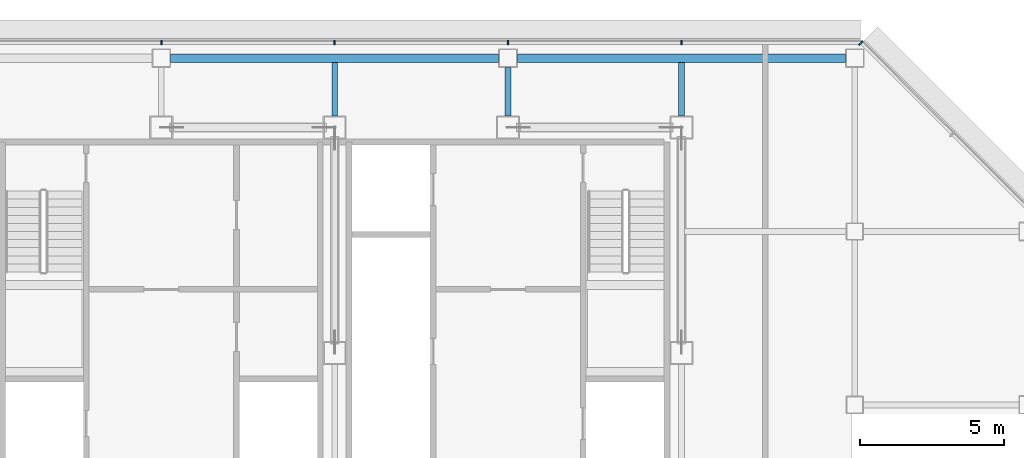
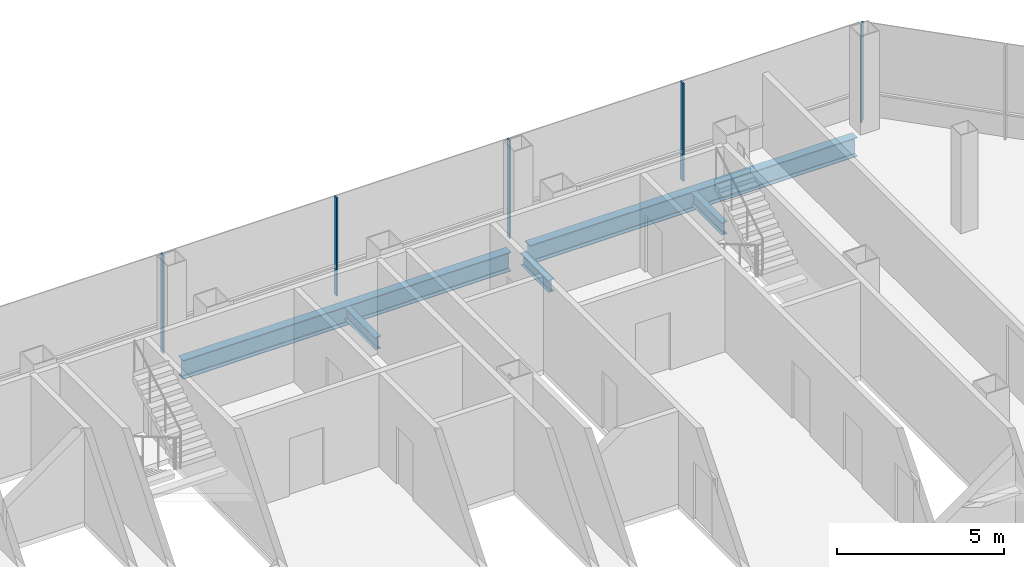
# One storey, part 15 of 26: 5 beams, 5 members, 2 elements without a shape of their own.
"""IFC4 building model written with IfcOpenShell, lengths in metres."""

import ifcopenshell
import ifcopenshell.guid

model = None  # the IFC model being written
_history = None  # IfcOwnerHistory: only IFC2X3 demands one
_inside = {}  # id of a spatial element -> (the spatial element, [elements in it])
_under = {}  # id of a project, library or spatial element -> (it, [spatial elements below it])
_declared = {}  # id of a project -> (the project, [libraries it declares])
_typed = {}  # id of a type object -> (the type object, [elements of that type])
_made_of = {}  # id of a material, layer set ... -> (it, [elements and type objects made of it])


def new_model(schema):
    """Start an empty IFC model of exactly this schema.

    Asked for "IFC4X3", IfcOpenShell would pick the latest addendum, in which some entities
    have other attributes; the version numbers below select the first issue.
    IFC2X3 requires an IfcOwnerHistory on every rooted entity: one is made here for all.
    """
    global model, _history
    if schema == "IFC4X3":
        model = ifcopenshell.file(schema_version=(4, 3, 0, 0))
    else:
        model = ifcopenshell.file(schema=schema)
    _inside.clear()
    _under.clear()
    _declared.clear()
    _typed.clear()
    _made_of.clear()
    _history = None
    if model.schema == "IFC2X3":
        org = make("IfcOrganization", Name="unknown")
        user = make(
            "IfcPersonAndOrganization",
            ThePerson=make("IfcPerson", FamilyName="unknown"),
            TheOrganization=org,
        )
        app = make(
            "IfcApplication",
            ApplicationDeveloper=org,
            Version="unknown",
            ApplicationFullName="unknown",
            ApplicationIdentifier="unknown",
        )
        _history = make(
            "IfcOwnerHistory",
            OwningUser=user,
            OwningApplication=app,
            ChangeAction="ADDED",
            CreationDate=0,
        )
    return model


def make(cls, **values):
    """One entity of the class cls with the attributes given. An attribute that is None is left unset."""
    return model.create_entity(
        cls, **{name: value for name, value in values.items() if value is not None}
    )


def rooted(cls, **values):
    """An entity with a GlobalId (a new one), such as an element, a storey or a relation."""
    return make(cls, GlobalId=ifcopenshell.guid.new(), OwnerHistory=_history, **values)


def si_unit(unit_type, name, prefix=None):
    """IfcSIUnit, for example si_unit("LENGTHUNIT", "METRE", prefix="MILLI")."""
    return make("IfcSIUnit", UnitType=unit_type, Prefix=prefix, Name=name)


def assignment(units):
    """IfcUnitAssignment: the units of a project."""
    return None if units is None else make("IfcUnitAssignment", Units=units)


def point(xyz):
    """IfcCartesianPoint."""
    return None if xyz is None else make("IfcCartesianPoint", Coordinates=xyz)


def direction(xyz):
    """IfcDirection."""
    return None if xyz is None else make("IfcDirection", DirectionRatios=xyz)


def frame(location, z_axis=None, x_axis=None):
    """IfcAxis2Placement3D, a coordinate frame: its origin and axes. An axis left out is left unset."""
    return make(
        "IfcAxis2Placement3D",
        Location=point(location),
        Axis=direction(z_axis),
        RefDirection=direction(x_axis),
    )


def frame_2d(location, x_axis=None):
    """IfcAxis2Placement2D, a coordinate frame in the plane: its origin and x axis."""
    return make(
        "IfcAxis2Placement2D", Location=point(location), RefDirection=direction(x_axis)
    )


def origin():
    """The frame at (0, 0, 0) with its axes left unset."""
    return frame((0.0, 0.0, 0.0))


def origin_2d():
    """The frame at (0, 0) in the plane with its x axis left unset."""
    return frame_2d((0.0, 0.0))


def place(relative_to, where):
    """IfcLocalPlacement: puts the frame where relative to a parent placement (None: the world)."""
    return make(
        "IfcLocalPlacement", PlacementRelTo=relative_to, RelativePlacement=where
    )


def context(
    kind, dimensions, precision=None, world=None, true_north=None, identifier=None
):
    """IfcGeometricRepresentationContext, for example the 3D "Model" context."""
    return make(
        "IfcGeometricRepresentationContext",
        ContextIdentifier=identifier,
        ContextType=kind,
        CoordinateSpaceDimension=dimensions,
        Precision=precision,
        WorldCoordinateSystem=world,
        TrueNorth=true_north,
    )


def subcontext(parent, identifier, kind, view, scale=None):
    """IfcGeometricRepresentationSubContext, for example "Body" below "Model"."""
    return make(
        "IfcGeometricRepresentationSubContext",
        ContextIdentifier=identifier,
        ContextType=kind,
        ParentContext=parent,
        TargetScale=scale,
        TargetView=view,
    )


def project(units=None, contexts=None):
    """IfcProject with its units and contexts."""
    return rooted(
        "IfcProject",
        Name="project",
        RepresentationContexts=contexts,
        UnitsInContext=assignment(units),
    )


def spatial(cls, under=None, at=None, **own):
    """A site, building, storey or space (cls), placed at a placement, below another one or the project."""
    s = rooted(cls, ObjectPlacement=at, **own)
    if under is not None:
        _under.setdefault(under.id(), (under, []))[1].append(s)
    return s


def profile(cls, at=None, kind="AREA", **sizes):
    """A parametric profile (cls). Its sizes go by their IFC names, for example OverallWidth=200.0."""
    return make(cls, ProfileType=kind, Position=at, **sizes)


def rectangle(**sizes):
    """IfcRectangleProfileDef."""
    return profile("IfcRectangleProfileDef", **sizes)


def i_section(**sizes):
    """IfcIShapeProfileDef."""
    return profile("IfcIShapeProfileDef", **sizes)


def extrude(swept, where, along, depth):
    """IfcExtrudedAreaSolid: the profile swept, set in the frame where, extruded along a direction by depth."""
    return make(
        "IfcExtrudedAreaSolid",
        SweptArea=swept,
        Position=where,
        ExtrudedDirection=direction(along),
        Depth=depth,
    )


def shape(context_of_items, identifier, shape_type, items):
    """IfcShapeRepresentation: the items that make up one representation, for example the "Body"."""
    return make(
        "IfcShapeRepresentation",
        ContextOfItems=context_of_items,
        RepresentationIdentifier=identifier,
        RepresentationType=shape_type,
        Items=items,
    )


def material(Name=None, Category=None):
    """IfcMaterial."""
    return make("IfcMaterial", Name=Name, Category=Category)


def material_profile(
    of_material, cross_section, Name=None, Category=None, Priority=None
):
    """IfcMaterialProfile: a cross section and its material."""
    return make(
        "IfcMaterialProfile",
        Name=Name,
        Material=of_material,
        Profile=cross_section,
        Priority=Priority,
        Category=Category,
    )


def profile_set(profiles, Name=None, composite=None):
    """IfcMaterialProfileSet."""
    return make(
        "IfcMaterialProfileSet",
        Name=Name,
        MaterialProfiles=profiles,
        CompositeProfile=composite,
    )


def made_of(thing, what):
    """Note that an element or type object is made of a material, layer set ...; save() writes the relation."""
    if what is not None:
        _made_of.setdefault(what.id(), (what, []))[1].append(thing)
    return thing


def type_object(cls, material=None, **own):
    """A type object (cls), such as IfcWallType, which elements share."""
    return made_of(rooted(cls, **own), material)


def element(
    cls,
    number,
    at=None,
    inside=None,
    cuts=None,
    type_object=None,
    material=None,
    context=None,
    identifier="Body",
    shape_type=None,
    held_by="IfcProductDefinitionShape",
    body=None,
    shapes=None,
    **own,
):
    """One element of the class cls, such as IfcWall. Its Tag is "e" and its number.

    at: its placement. inside: the storey or other place that contains it. cuts: it is an
    opening in that element (IfcRelVoidsElement). A single representation is given by context,
    identifier, shape_type and body (its items); several are given by shapes. held_by: the class
    of the entity that holds the representations. save() writes the other relations.
    """
    e = rooted(cls, Tag="e%d" % number, ObjectPlacement=at, **own)
    if body is not None:
        shapes = [shape(context, identifier, shape_type, body)]
    if shapes is not None:
        e.Representation = make(held_by, Representations=shapes)
    if inside is not None:
        _inside.setdefault(inside.id(), (inside, []))[1].append(e)
    if cuts is not None:
        rooted(
            "IfcRelVoidsElement", RelatingBuildingElement=cuts, RelatedOpeningElement=e
        )
    if type_object is not None:
        _typed.setdefault(type_object.id(), (type_object, []))[1].append(e)
    return made_of(e, material)


def aggregate(whole, parts):
    """IfcRelAggregates: a whole, such as a stair, and the parts it consists of."""
    return rooted("IfcRelAggregates", RelatingObject=whole, RelatedObjects=parts)


def save(model, path):
    """Write the relations noted so far, then the file.

    IfcRelAggregates (storeys below a building ...), IfcRelContainedInSpatialStructure (elements
    in a storey), IfcRelDefinesByType, IfcRelAssociatesMaterial and IfcRelDeclares: one each for
    every whole, place, type object, material and project.
    """
    for whole, parts in _under.values():
        aggregate(whole, parts)
    for where, things in _inside.values():
        rooted(
            "IfcRelContainedInSpatialStructure",
            RelatedElements=things,
            RelatingStructure=where,
        )
    for kind, things in _typed.values():
        rooted("IfcRelDefinesByType", RelatedObjects=things, RelatingType=kind)
    for what, things in _made_of.values():
        rooted("IfcRelAssociatesMaterial", RelatedObjects=things, RelatingMaterial=what)
    for by, libraries in _declared.values():
        rooted("IfcRelDeclares", RelatingContext=by, RelatedDefinitions=libraries)
    model.write(path)


model = new_model("IFC4")

# Units and contexts
model_context = context("Model", 3, precision=1e-05, world=origin(), true_north=direction((0.0, 1.0)))
body_context = subcontext(model_context, "Body", "Model", "MODEL_VIEW")
ifc_project = project(units=[si_unit("LENGTHUNIT", "METRE"), si_unit("AREAUNIT", "SQUARE_METRE"), si_unit("VOLUMEUNIT", "CUBIC_METRE"), si_unit("PLANEANGLEUNIT", "RADIAN"), si_unit("MASSUNIT", "GRAM", prefix="KILO")], contexts=[model_context])

# Site, building, storey
site_placement = place(None, origin())
site = spatial("IfcSite", under=ifc_project, at=site_placement, CompositionType="ELEMENT")
building_placement = place(site_placement, origin())
building = spatial("IfcBuilding", under=site, at=building_placement, Name="Sorahane Residences", CompositionType="ELEMENT")
storey_placement = place(building_placement, frame((0.0, 0.0, 219.0)))
storey = spatial("IfcBuildingStorey", under=building, at=storey_placement, Name="L51", CompositionType="ELEMENT", Elevation=219.0)

# Curtain wall, members
ifc_material_1 = material(Name="Dark low-e glass and black anodised aluminium", Category="aluminium")
curtain_wall_type_1 = type_object("IfcCurtainWallType", Name="Curtain wall CW-1 Typical unitised wall", PredefinedType="NOTDEFINED", material=ifc_material_1)
curtain_wall_1_placement = place(storey_placement, origin())
curtain_wall_1 = element("IfcCurtainWall", 1, at=curtain_wall_1_placement, inside=storey, type_object=curtain_wall_type_1, Name="CW-1 curtain wall L51 N1", PredefinedType="NOTDEFINED")
ifc_material_2 = material(Name="Black anodised aluminium", Category="aluminium")
ifc_material_profile_1 = material_profile(ifc_material_2, rectangle(XDim=0.159912109375, YDim=0.050048828125, at=origin_2d()), Name="Curtain wall mullion CW-1 black anodised aluminium 50x160")
ifc_profile_set_1 = profile_set([ifc_material_profile_1], Name="Black anodised aluminium")
member_type_1 = type_object("IfcMemberType", Name="Curtain wall mullion CW-1 black anodised aluminium 50x160", PredefinedType="MULLION", material=ifc_profile_set_1)
member_1_placement = place(storey_placement, frame((42.0, 48.5400390625, -0.179931640625), z_axis=(0.0, 0.0, 1.0), x_axis=(0.0, 1.0, 0.0)))
member_1 = element("IfcMember", 2, at=member_1_placement, type_object=member_type_1, Name="CW-1 mullion L51 N1.2", PredefinedType="MULLION", context=body_context, shape_type="SweptSolid", body=[
    extrude(rectangle(XDim=0.159912109375, YDim=0.050048828125, at=origin_2d()), origin(), (0.0, 0.0, 1.0), 3.599853515625),
])
member_2_placement = place(storey_placement, frame((36.0, 48.5400390625, -0.179931640625), z_axis=(0.0, 0.0, 1.0), x_axis=(0.0, 1.0, 0.0)))
member_2 = element("IfcMember", 3, at=member_2_placement, type_object=member_type_1, Name="CW-1 mullion L51 N1.3", PredefinedType="MULLION", context=body_context, shape_type="SweptSolid", body=[
    extrude(rectangle(XDim=0.159912109375, YDim=0.050048828125, at=origin_2d()), origin(), (0.0, 0.0, 1.0), 3.599853515625),
])
member_3_placement = place(storey_placement, frame((30.0, 48.5400390625, -0.179931640625), z_axis=(0.0, 0.0, 1.0), x_axis=(0.0, 1.0, 0.0)))
member_3 = element("IfcMember", 4, at=member_3_placement, type_object=member_type_1, Name="CW-1 mullion L51 N1.4", PredefinedType="MULLION", context=body_context, shape_type="SweptSolid", body=[
    extrude(rectangle(XDim=0.159912109375, YDim=0.050048828125, at=origin_2d()), origin(), (0.0, 0.0, 1.0), 3.599853515625),
])
member_4_placement = place(storey_placement, frame((24.0, 48.5400390625, -0.179931640625), z_axis=(0.0, 0.0, 1.0), x_axis=(0.0, 1.0, 0.0)))
member_4 = element("IfcMember", 5, at=member_4_placement, type_object=member_type_1, Name="CW-1 mullion L51 N1.5", PredefinedType="MULLION", context=body_context, shape_type="SweptSolid", body=[
    extrude(rectangle(XDim=0.159912109375, YDim=0.050048828125, at=origin_2d()), origin(), (0.0, 0.0, 1.0), 3.599853515625),
])
aggregate(curtain_wall_1, [member_1, member_2, member_3, member_4])

# Curtain wall, member
ifc_material_3 = material(Name="Dark low-e glass and black anodised aluminium", Category="aluminium")
curtain_wall_type_2 = type_object("IfcCurtainWallType", Name="Curtain wall CW-2 Chamfer unitised wall", PredefinedType="NOTDEFINED", material=ifc_material_3)
curtain_wall_2_placement = place(storey_placement, origin())
curtain_wall_2 = element("IfcCurtainWall", 6, at=curtain_wall_2_placement, inside=storey, type_object=curtain_wall_type_2, Name="CW-2 curtain wall L51 NE1", PredefinedType="NOTDEFINED")
ifc_material_4 = material(Name="Black anodised aluminium", Category="aluminium")
ifc_material_profile_2 = material_profile(ifc_material_4, rectangle(XDim=0.199951171875, YDim=0.050048828125, at=origin_2d()), Name="Curtain wall mullion CW-2 black anodised aluminium 50x200")
ifc_profile_set_2 = profile_set([ifc_material_profile_2], Name="Black anodised aluminium")
member_type_2 = type_object("IfcMemberType", Name="Curtain wall mullion CW-2 black anodised aluminium 50x200", PredefinedType="MULLION", material=ifc_profile_set_2)
member_5_placement = place(storey_placement, frame((48.209716796875, 48.525634765625, -0.179931640625), z_axis=(0.0, 0.0, 1.0), x_axis=(0.707106781187, 0.707106781187, 0.0)))
member_5 = element("IfcMember", 7, at=member_5_placement, type_object=member_type_2, Name="CW-2 mullion L51 NE1.3", PredefinedType="MULLION", context=body_context, shape_type="SweptSolid", body=[
    extrude(rectangle(XDim=0.199951171875, YDim=0.050048828125, at=origin_2d()), origin(), (0.0, 0.0, 1.0), 3.599853515625),
])
aggregate(curtain_wall_2, [member_5])

# Beams
ifc_material_5 = material(Name="Steel Q355B", Category="steel")
ifc_material_profile_3 = material_profile(ifc_material_5, i_section(OverallWidth=0.199951171875, OverallDepth=0.449951171875, WebThickness=0.009033203125, FlangeThickness=0.013916015625, FilletRadius=0.02001953125, at=origin_2d()), Name="HN 450x200x9x14")
ifc_profile_set_3 = profile_set([ifc_material_profile_3], Name="Steel Q355B")
beam_type_1 = type_object("IfcBeamType", Name="Steel floor beam HN 450x200x9x14 Q355B", PredefinedType="BEAM", material=ifc_profile_set_3)
beam_1_placement = place(storey_placement, frame((30.0, 46.0, -0.405029296875), z_axis=(0.0, 1.0, 0.0), x_axis=(-1.0, 0.0, 0.0)))
element("IfcBeam", 8, at=beam_1_placement, inside=storey, type_object=beam_type_1, Name="Beam L51 049", PredefinedType="BEAM", context=body_context, shape_type="SweptSolid", body=[
    extrude(i_section(OverallWidth=0.199951171875, OverallDepth=0.449951171875, WebThickness=0.009033203125, FlangeThickness=0.013916015625, FilletRadius=0.02001953125, at=origin_2d()), origin(), (0.0, 0.0, 1.0), 1.85009765625),
])
beam_2_placement = place(storey_placement, frame((36.0, 46.0, -0.405029296875), z_axis=(0.0, 1.0, 0.0), x_axis=(-1.0, 0.0, 0.0)))
element("IfcBeam", 9, at=beam_2_placement, inside=storey, type_object=beam_type_1, Name="Beam L51 051", PredefinedType="BEAM", context=body_context, shape_type="SweptSolid", body=[
    extrude(i_section(OverallWidth=0.199951171875, OverallDepth=0.449951171875, WebThickness=0.009033203125, FlangeThickness=0.013916015625, FilletRadius=0.02001953125, at=origin_2d()), origin(), (0.0, 0.0, 1.0), 1.675048828125),
])
beam_3_placement = place(storey_placement, frame((42.0, 46.0, -0.405029296875), z_axis=(0.0, 1.0, 0.0), x_axis=(-1.0, 0.0, 0.0)))
element("IfcBeam", 10, at=beam_3_placement, inside=storey, type_object=beam_type_1, Name="Beam L51 057", PredefinedType="BEAM", context=body_context, shape_type="SweptSolid", body=[
    extrude(i_section(OverallWidth=0.199951171875, OverallDepth=0.449951171875, WebThickness=0.009033203125, FlangeThickness=0.013916015625, FilletRadius=0.02001953125, at=origin_2d()), origin(), (0.0, 0.0, 1.0), 1.85009765625),
])
ifc_material_6 = material(Name="Steel Q355B", Category="steel")
ifc_material_profile_4 = material_profile(ifc_material_6, i_section(OverallWidth=0.300048828125, OverallDepth=0.699951171875, WebThickness=0.012939453125, FlangeThickness=0.02392578125, FilletRadius=0.028076171875, at=origin_2d()), Name="HN 700x300x13x24")
ifc_profile_set_4 = profile_set([ifc_material_profile_4], Name="Steel Q355B")
beam_type_2 = type_object("IfcBeamType", Name="Steel floor beam HN 700x300x13x24 Q355B", PredefinedType="BEAM", material=ifc_profile_set_4)
for number, where, z_axis, x_axis, name in (
    (11, (24.324951171875, 48.0, -0.530029296875), (1.0, 0.0, 0.0), (0.0, 1.0, 0.0), "Beam L51 018"),
    (12, (36.324951171875, 48.0, -0.530029296875), (1.0, 0.0, 0.0), (0.0, 1.0, 0.0), "Beam L51 019"),
):
    element("IfcBeam", number, at=place(storey_placement, frame(where, z_axis=z_axis, x_axis=x_axis)), inside=storey, type_object=beam_type_2, Name=name, PredefinedType="BEAM", context=body_context, shape_type="SweptSolid", body=[
        extrude(i_section(OverallWidth=0.300048828125, OverallDepth=0.699951171875, WebThickness=0.012939453125, FlangeThickness=0.02392578125, FilletRadius=0.028076171875, at=origin_2d()), origin(), (0.0, 0.0, 1.0), 11.35009765625),
    ])

save(model, "model.ifc")
